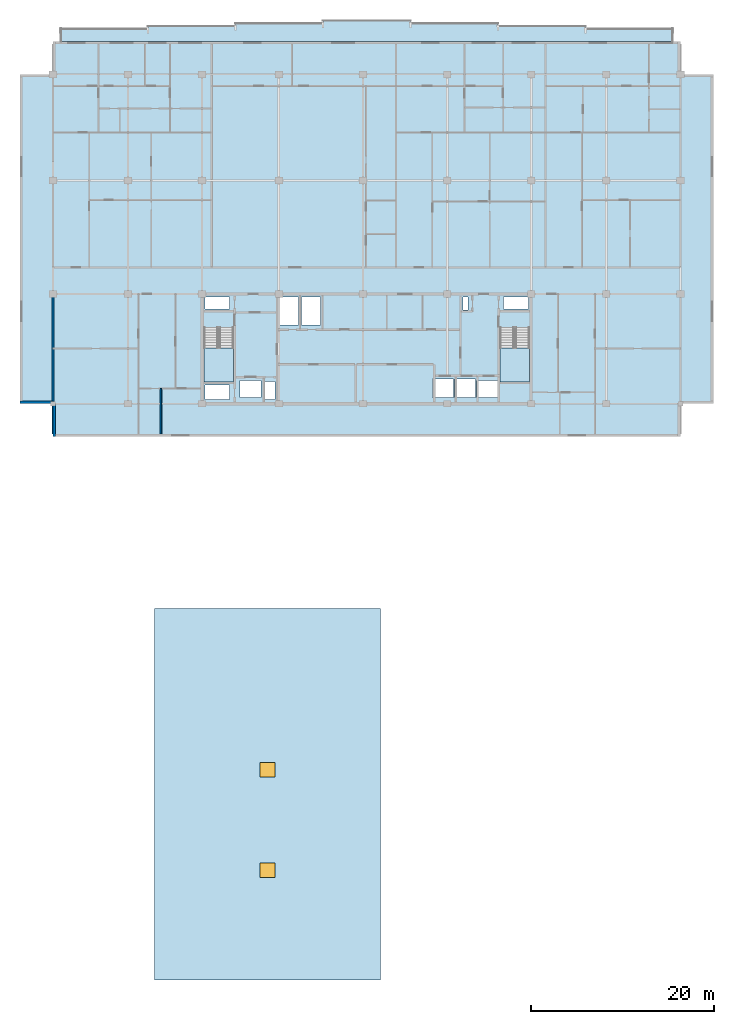
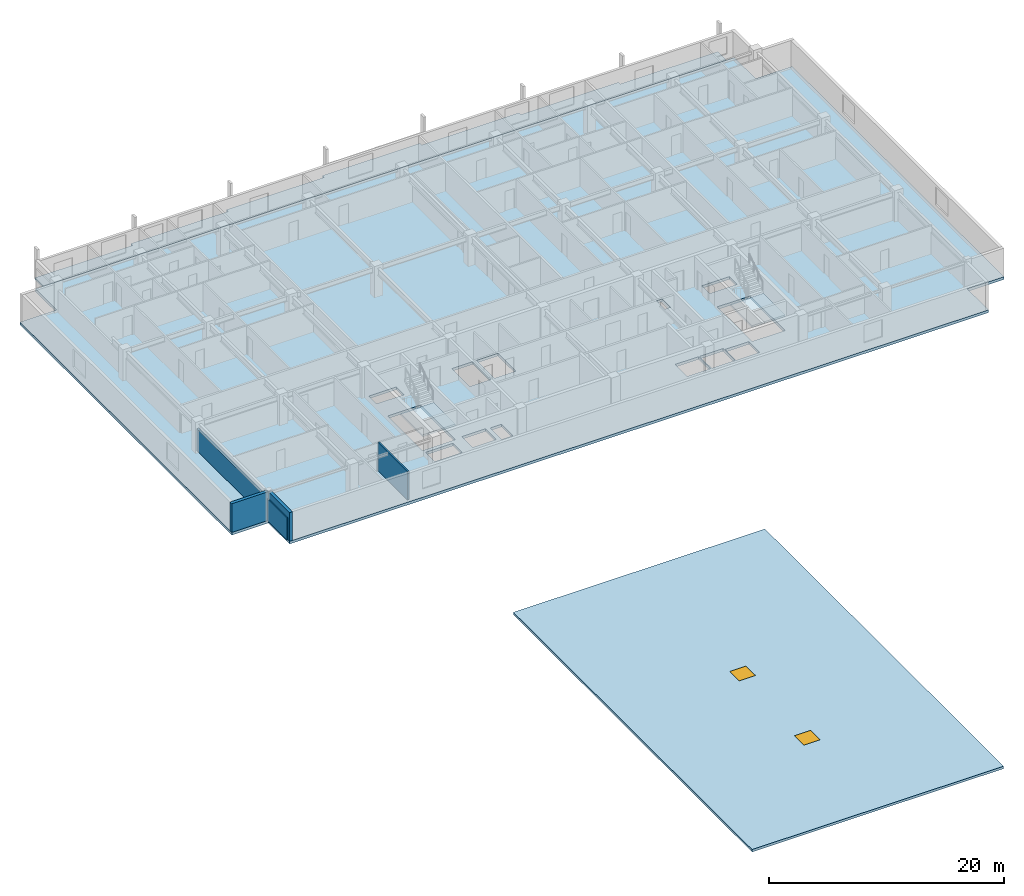
# One storey, part 2 of 11: 5 slabs, 4 walls, 2 windows, 2 openings, 2 elements without a shape of their own.
"""IFC4 building model written with IfcOpenShell, lengths in metres."""

from ifc_helpers import new_model, si_unit, direction, frame, frame_2d, origin, origin_2d, place, context, subcontext, project, spatial, polyline, rectangle, outline, extrude, material, layer, layer_set, type_object, element, fill, aggregate, save


model = new_model("IFC4")

# Units and contexts
model_context = context("Model", 3, precision=1e-05, world=origin(), true_north=direction((0.0, 1.0)))
body_context = subcontext(model_context, "Body", "Model", "MODEL_VIEW")
ifc_project = project(units=[si_unit("LENGTHUNIT", "METRE"), si_unit("AREAUNIT", "SQUARE_METRE"), si_unit("VOLUMEUNIT", "CUBIC_METRE"), si_unit("PLANEANGLEUNIT", "RADIAN"), si_unit("MASSUNIT", "GRAM", prefix="KILO")], contexts=[model_context])

# Site, building, storey
site_placement = place(None, origin())
site = spatial("IfcSite", under=ifc_project, at=site_placement, CompositionType="ELEMENT")
building_placement = place(site_placement, origin())
building = spatial("IfcBuilding", under=site, at=building_placement, Name="Korimba Cascade Residences", CompositionType="ELEMENT")
storey_placement = place(building_placement, frame((0.0, 0.0, 217.35009765625)))
storey = spatial("IfcBuildingStorey", under=building, at=storey_placement, Name="L63", CompositionType="ELEMENT", Elevation=217.35009765625)

# Stair, slab
ifc_material_1 = material(Name="Concrete C50/60", Category="concrete")
stair_type_1 = type_object("IfcStairType", Name="STR-W1-18R-1806", PredefinedType="HALF_TURN_STAIR", material=ifc_material_1)
stair_1_placement = place(storey_placement, origin())
stair_1 = element("IfcStair", 1, at=stair_1_placement, inside=storey, type_object=stair_type_1, Name="L63 Tower 1 West Fire Stair ST-W1", PredefinedType="HALF_TURN_STAIR")
ifc_layer_1 = layer(ifc_material_1, 0.199951171875)
ifc_layer_set_1 = layer_set([ifc_layer_1], Name="Concrete C50/60")
slab_type_1 = type_object("IfcSlabType", Name="SLB-LND-220", PredefinedType="LANDING", material=ifc_layer_set_1)
slab_1_placement = place(storey_placement, frame((0.0, 0.0, 1.4248046875)))
slab_1 = element("IfcSlab", 2, at=slab_1_placement, type_object=slab_type_1, Name="ST-W1 landing 1", PredefinedType="LANDING", context=body_context, shape_type="SweptSolid", body=[
    extrude(outline(polyline([(76.300048828125, 61.31005859375), (76.300048828125, 57.60009765625), (79.5400390625, 57.60009765625), (79.5400390625, 61.31005859375), (76.300048828125, 61.31005859375)])), origin(), (0.0, 0.0, 1.0), 0.2001953125),
])
aggregate(stair_1, [slab_1])

stair_type_2 = type_object("IfcStairType", Name="STR-W2-18R-1806", PredefinedType="HALF_TURN_STAIR", material=ifc_material_1)
stair_2_placement = place(storey_placement, origin())
stair_2 = element("IfcStair", 3, at=stair_2_placement, inside=storey, type_object=stair_type_2, Name="L63 Tower 1 East Fire Stair ST-W2", PredefinedType="HALF_TURN_STAIR")
slab_2_placement = place(storey_placement, frame((0.0, 0.0, 1.4248046875)))
slab_2 = element("IfcSlab", 4, at=slab_2_placement, type_object=slab_type_1, Name="ST-W2 landing 1", PredefinedType="LANDING", context=body_context, shape_type="SweptSolid", body=[
    extrude(outline(polyline([(108.659912109375, 61.31005859375), (108.659912109375, 57.60009765625), (111.89990234375, 57.60009765625), (111.89990234375, 61.31005859375), (108.659912109375, 61.31005859375)])), origin(), (0.0, 0.0, 1.0), 0.2001953125),
])
aggregate(stair_2, [slab_2])

# Slab
ifc_material_2 = material(Name="Precast concrete C40/50", Category="concrete")
ifc_layer_2 = layer(ifc_material_2, 0.239990234375)
ifc_layer_set_2 = layer_set([ifc_layer_2], Name="Precast concrete C40/50")
slab_type_2 = type_object("IfcSlabType", Name="SLB-LOG-240", PredefinedType="FLOOR", material=ifc_layer_set_2)
slab_3_placement = place(storey_placement, frame((0.0, 0.0, -0.239990234375)))
element("IfcSlab", 5, at=slab_3_placement, inside=storey, type_object=slab_type_2, Name="L63 Tower 1 North Loggia Slab", PredefinedType="FLOOR", context=body_context, shape_type="SweptSolid", body=[
    extrude(outline(polyline([(60.60009765625, 94.800048828125), (127.60009765625, 94.800048828125), (127.60009765625, 96.25), (118.028564453125, 96.25), (118.028564453125, 96.550048828125), (108.45703125, 96.550048828125), (108.45703125, 96.85009765625), (98.8857421875, 96.85009765625), (98.8857421875, 97.14990234375), (89.314208984375, 97.14990234375), (89.314208984375, 96.85009765625), (79.742919921875, 96.85009765625), (79.742919921875, 96.550048828125), (70.17138671875, 96.550048828125), (70.17138671875, 96.25), (60.60009765625, 96.25), (60.60009765625, 94.800048828125)])), origin(), (0.0, 0.0, 1.0), 0.239990234375),
])

# Slab, openings, windows
ifc_layer_3 = layer(ifc_material_2, 0.25)
ifc_layer_set_3 = layer_set([ifc_layer_3], Name="Precast concrete C40/50")
slab_type_3 = type_object("IfcSlabType", Name="SLB-ROOF-250", PredefinedType="ROOF", material=ifc_layer_set_3)
slab_4_placement = place(storey_placement, frame((0.0, 0.0, -0.10009765625)))
slab_4 = element("IfcSlab", 6, at=slab_4_placement, inside=storey, type_object=slab_type_3, Name="L63 Tower 2 West Crown Crest Roof Slab", PredefinedType="ROOF", context=body_context, shape_type="SweptSolid", body=[
    extrude(outline(polyline([(70.89990234375, -7.800048828125), (95.60009765625, -7.800048828125), (95.60009765625, 32.800048828125), (70.89990234375, 32.800048828125), (70.89990234375, -7.800048828125)])), origin(), (0.0, 0.0, 1.0), 0.25),
])
opening_1_placement = place(slab_4_placement, frame((83.25, 4.199951171875, 0.0)))
opening_1 = element("IfcOpeningElement", 7, at=opening_1_placement, cuts=slab_4, Name="Opening SK-01", PredefinedType="OPENING", context=body_context, shape_type="SweptSolid", body=[
    extrude(rectangle(XDim=1.60009765625, YDim=1.60009765625, at=origin_2d()), frame((0.0, 0.0, -0.010009765625)), (0.0, 0.0, 1.0), 0.27001953125),
])
opening_2_placement = place(slab_4_placement, frame((83.25, 15.199951171875, 0.0)))
opening_2 = element("IfcOpeningElement", 8, at=opening_2_placement, cuts=slab_4, Name="Opening SK-01", PredefinedType="OPENING", context=body_context, shape_type="SweptSolid", body=[
    extrude(rectangle(XDim=1.60009765625, YDim=1.60009765625, at=origin_2d()), frame((0.0, 0.0, -0.010009765625)), (0.0, 0.0, 1.0), 0.27001953125),
])
ifc_material_3 = material(Name="Double-Glazed Aluminium Window", Category="aluminium")
window_type = type_object("IfcWindowType", Name="WIN-SKY-1600", PartitioningType="SINGLE_PANEL", PredefinedType="SKYLIGHT", material=ifc_material_3)
window_1_placement = place(opening_1_placement, frame((0.0, 0.0, 0.199951171875)))
window_1 = element("IfcWindow", 9, at=window_1_placement, inside=storey, type_object=window_type, Name="L63 Crown W Roof Skylight 1", OverallHeight=1.60009765625, OverallWidth=1.60009765625, PartitioningType="SINGLE_PANEL", PredefinedType="SKYLIGHT", context=body_context, shape_type="SweptSolid", body=[
    extrude(rectangle(XDim=1.60009765625, YDim=1.60009765625, at=origin_2d()), origin(), (0.0, 0.0, 1.0), 0.050048828125),
])
fill(opening_1, window_1)
window_2_placement = place(opening_2_placement, frame((0.0, 0.0, 0.199951171875)))
window_2 = element("IfcWindow", 10, at=window_2_placement, inside=storey, type_object=window_type, Name="L63 Crown W Roof Skylight 2", OverallHeight=1.60009765625, OverallWidth=1.60009765625, PartitioningType="SINGLE_PANEL", PredefinedType="SKYLIGHT", context=body_context, shape_type="SweptSolid", body=[
    extrude(rectangle(XDim=1.60009765625, YDim=1.60009765625, at=origin_2d()), origin(), (0.0, 0.0, 1.0), 0.050048828125),
])
fill(opening_2, window_2)

# Slab
ifc_layer_4 = layer(ifc_material_1, 0.280029296875)
ifc_layer_set_4 = layer_set([ifc_layer_4], Name="Concrete C50/60")
slab_type_4 = type_object("IfcSlabType", Name="SLB-TYP-280", PredefinedType="FLOOR", material=ifc_layer_set_4)
slab_5_placement = place(storey_placement, frame((0.0, 0.0, -0.280029296875)))
element("IfcSlab", 11, at=slab_5_placement, inside=storey, type_object=slab_type_4, Name="L63 Tower 1 Floor Slab", PredefinedType="FLOOR", context=body_context, shape_type="SweptSolid", body=[
    extrude(outline(polyline([(59.800048828125, 51.60009765625), (128.39990234375, 51.60009765625), (128.39990234375, 55.199951171875), (132.0, 55.199951171875), (132.0, 91.199951171875), (128.39990234375, 91.199951171875), (128.39990234375, 94.800048828125), (59.800048828125, 94.800048828125), (59.800048828125, 91.199951171875), (56.199951171875, 91.199951171875), (56.199951171875, 55.199951171875), (59.800048828125, 55.199951171875), (59.800048828125, 51.60009765625)]), holes=[polyline([(76.300048828125, 63.514892578125), (76.300048828125, 57.60009765625), (79.5400390625, 57.60009765625), (79.5400390625, 63.514892578125), (76.300048828125, 63.514892578125)]), polyline([(108.659912109375, 63.514892578125), (108.659912109375, 57.60009765625), (111.89990234375, 57.60009765625), (111.89990234375, 63.514892578125), (108.659912109375, 63.514892578125)]), polyline([(80.22998046875, 55.8798828125), (82.570068359375, 55.8798828125), (82.570068359375, 57.719970703125), (80.22998046875, 57.719970703125), (80.22998046875, 55.8798828125)]), polyline([(106.080078125, 55.8798828125), (108.419921875, 55.8798828125), (108.419921875, 57.719970703125), (106.080078125, 57.719970703125), (106.080078125, 55.8798828125)]), polyline([(101.304931640625, 55.8798828125), (103.594970703125, 55.8798828125), (103.594970703125, 57.919921875), (101.304931640625, 57.919921875), (101.304931640625, 55.8798828125)]), polyline([(103.705078125, 55.8798828125), (105.9951171875, 55.8798828125), (105.9951171875, 57.919921875), (103.705078125, 57.919921875), (103.705078125, 55.8798828125)]), polyline([(82.97998046875, 55.679931640625), (84.080078125, 55.679931640625), (84.080078125, 57.6201171875), (82.97998046875, 57.6201171875), (82.97998046875, 55.679931640625)]), polyline([(76.39990234375, 65.56005859375), (79.10009765625, 65.56005859375), (79.10009765625, 66.8798828125), (76.39990234375, 66.8798828125), (76.39990234375, 65.56005859375)]), polyline([(76.39990234375, 55.679931640625), (79.10009765625, 55.679931640625), (79.10009765625, 57.239990234375), (76.39990234375, 57.239990234375), (76.39990234375, 55.679931640625)]), polyline([(84.530029296875, 63.820068359375), (86.6201171875, 63.820068359375), (86.6201171875, 66.8798828125), (84.530029296875, 66.8798828125), (84.530029296875, 63.820068359375)]), polyline([(86.97998046875, 63.820068359375), (89.070068359375, 63.820068359375), (89.070068359375, 66.8798828125), (86.97998046875, 66.8798828125), (86.97998046875, 63.820068359375)]), polyline([(104.6201171875, 65.4599609375), (105.179931640625, 65.4599609375), (105.179931640625, 66.8798828125), (104.6201171875, 66.8798828125), (104.6201171875, 65.4599609375)]), polyline([(109.080078125, 65.56005859375), (111.800048828125, 65.56005859375), (111.800048828125, 66.8798828125), (109.080078125, 66.8798828125), (109.080078125, 65.56005859375)])]), origin(), (0.0, 0.0, 1.0), 0.280029296875),
])

# Walls
ifc_layer_5 = layer(ifc_material_2, 0.300048828125)
ifc_layer_set_5 = layer_set([ifc_layer_5], Name="Precast concrete C40/50")
wall_type_1 = type_object("IfcWallType", Name="EW-STONE-300", PredefinedType="STANDARD", material=ifc_layer_set_5)
wall_1_placement = place(storey_placement, frame((56.199951171875, 55.35009765625, 0.0), z_axis=(0.0, 0.0, 1.0), x_axis=(1.0, 0.0, 0.0)))
element("IfcWall", 12, at=wall_1_placement, inside=storey, type_object=wall_type_1, Name="L63 T1 Perimeter Stone Wall E10", PredefinedType="STANDARD", context=body_context, shape_type="SweptSolid", body=[
    extrude(rectangle(XDim=3.60009765625, YDim=0.300048828125, at=frame_2d((1.800048828125, 0.0))), origin(), (0.0, 0.0, 1.0), 2.969970703125),
])
wall_2_placement = place(storey_placement, frame((59.949951171875, 55.199951171875, 0.0), z_axis=(0.0, 0.0, 1.0), x_axis=(0.0, -1.0, 0.0)))
element("IfcWall", 13, at=wall_2_placement, inside=storey, type_object=wall_type_1, Name="L63 T1 Perimeter Stone Wall E11", PredefinedType="STANDARD", context=body_context, shape_type="SweptSolid", body=[
    extrude(rectangle(XDim=3.599853515625, YDim=0.300048828125, at=frame_2d((1.7998046875, 0.0))), origin(), (0.0, 0.0, 1.0), 2.969970703125),
])
ifc_layer_6 = layer(ifc_material_2, 0.199951171875)
ifc_layer_set_6 = layer_set([ifc_layer_6], Name="Precast concrete C40/50")
wall_type_2 = type_object("IfcWallType", Name="WAL-IT-200", PredefinedType="PARTITIONING", material=ifc_layer_set_6)
wall_3_placement = place(storey_placement, frame((59.800048828125, 51.89990234375, 0.0), z_axis=(0.0, 0.0, 1.0), x_axis=(0.0, 1.0, 0.0)))
element("IfcWall", 14, at=wall_3_placement, inside=storey, type_object=wall_type_2, Name="L63 Partition Wall WAL-L63-T1-FW-WL", PredefinedType="PARTITIONING", context=body_context, shape_type="SweptSolid", body=[
    extrude(rectangle(XDim=15.300048828125, YDim=0.199951171875, at=frame_2d((7.64990234375, 0.0))), origin(), (0.0, 0.0, 1.0), 2.277099609375),
])
ifc_material_4 = material(Name="Insulated Acoustic Stud Partition", Category="gypsum")
ifc_layer_7 = layer(ifc_material_4, 0.14990234375)
ifc_layer_set_7 = layer_set([ifc_layer_7], Name="Insulated Acoustic Stud Partition")
wall_type_3 = type_object("IfcWallType", Name="WAL-PART-150", PredefinedType="PARTITIONING", material=ifc_layer_set_7)
wall_4_placement = place(storey_placement, frame((71.60009765625, 51.89990234375, 0.0), z_axis=(0.0, 0.0, 1.0), x_axis=(0.0, 1.0, 0.0)))
element("IfcWall", 15, at=wall_4_placement, inside=storey, type_object=wall_type_3, Name="L63 Partition Wall WAL-L63-T1-FW-VS", PredefinedType="PARTITIONING", context=body_context, shape_type="SweptSolid", body=[
    extrude(rectangle(XDim=4.97021484375, YDim=0.14990234375, at=frame_2d((2.485107421875, 0.0))), origin(), (0.0, 0.0, 1.0), 2.969970703125),
])

save(model, "model.ifc")
